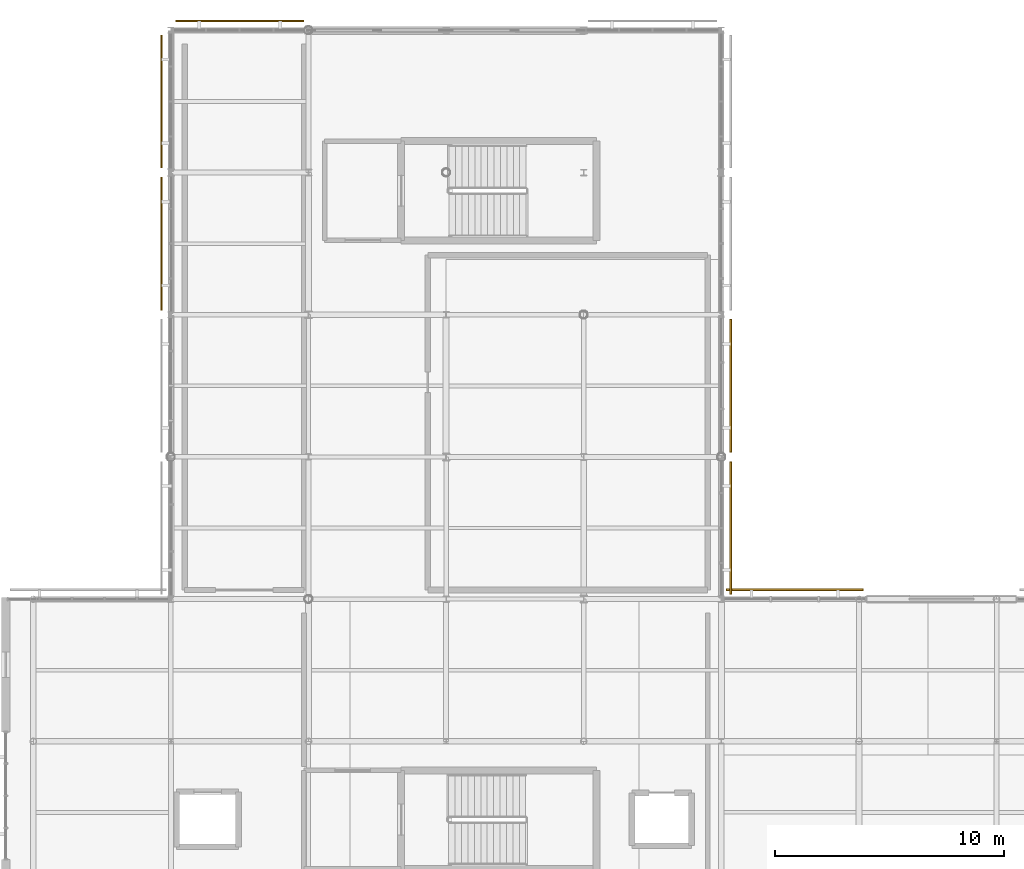
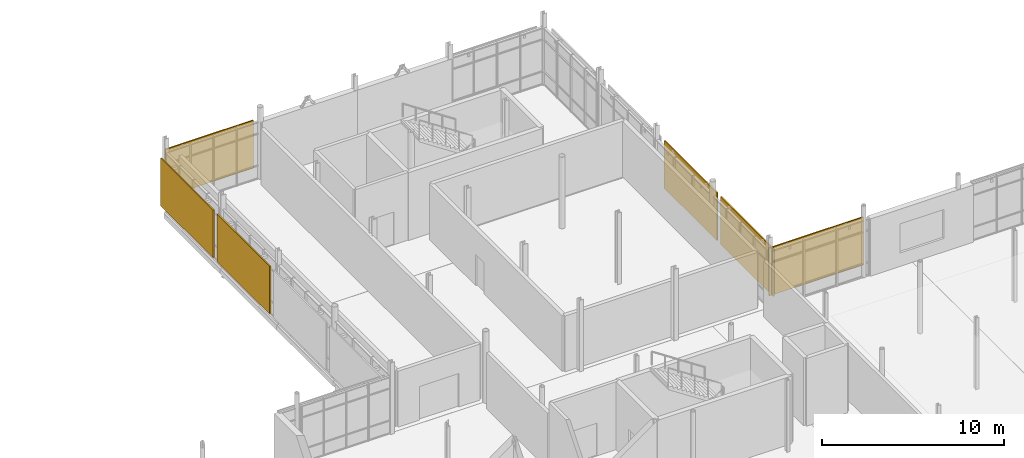
# One storey, part 63 of 66: 6 shading devices.
"""IFC4 building model written with IfcOpenShell, lengths in metres."""

from ifc_helpers import new_model, si_unit, direction, frame, origin, origin_2d, place, context, subcontext, project, spatial, rectangle, extrude, material, layer, layer_set, type_object, element, save


model = new_model("IFC4")

# Units and contexts
model_context = context("Model", 3, precision=1e-05, world=origin(), true_north=direction((0.0, 1.0)))
body_context = subcontext(model_context, "Body", "Model", "MODEL_VIEW")
ifc_project = project(units=[si_unit("LENGTHUNIT", "METRE"), si_unit("AREAUNIT", "SQUARE_METRE"), si_unit("VOLUMEUNIT", "CUBIC_METRE"), si_unit("PLANEANGLEUNIT", "RADIAN"), si_unit("MASSUNIT", "GRAM", prefix="KILO")], contexts=[model_context])

# Site, building, storey
site_placement = place(None, origin())
site = spatial("IfcSite", under=ifc_project, at=site_placement, CompositionType="ELEMENT")
building_placement = place(site_placement, origin())
building = spatial("IfcBuilding", under=site, at=building_placement, Name="Mirzam Square Science Centre", CompositionType="ELEMENT")
storey_placement = place(building_placement, frame((0.0, 0.0, 15.60009765625)))
storey = spatial("IfcBuildingStorey", under=building, at=storey_placement, Name="L03", CompositionType="ELEMENT", Elevation=15.60009765625)

# Shading devices
ifc_material = material(Name="Perforated Bronze-Anodised Aluminium Brise-Soleil", Category="aluminium")
ifc_layer = layer(ifc_material, 0.080078125)
ifc_layer_set = layer_set([ifc_layer], Name="SHD-BRISE-BRONZE")
shading_device_type = type_object("IfcShadingDeviceType", Name="SHD-BRISE-BRONZE", PredefinedType="JALOUSIE", material=ifc_layer_set)
shading_device_1_placement = place(storey_placement, frame((141.199951171875, 87.2099609375, 0.48974609375), z_axis=(0.0, 0.0, 1.0), x_axis=(-1.0, 0.0, 0.0)))
element("IfcShadingDevice", 1, at=shading_device_1_placement, inside=storey, type_object=shading_device_type, Name="L03 bronze brise-soleil screen 121", PredefinedType="JALOUSIE", context=body_context, shape_type="SweptSolid", body=[
    extrude(rectangle(XDim=5.989990234375, YDim=0.080078125, at=origin_2d()), origin(), (0.0, 0.0, 1.0), 3.199951171875),
])
shading_device_2_placement = place(storey_placement, frame((117.0, 112.010009765625, 0.48974609375), z_axis=(0.0, 0.0, 1.0), x_axis=(-1.0, 0.0, 0.0)))
element("IfcShadingDevice", 2, at=shading_device_2_placement, inside=storey, type_object=shading_device_type, Name="L03 bronze brise-soleil screen 126", PredefinedType="JALOUSIE", context=body_context, shape_type="SweptSolid", body=[
    extrude(rectangle(XDim=5.590087890625, YDim=0.080078125, at=origin_2d()), origin(), (0.0, 0.0, 1.0), 3.199951171875),
])
for number, where, z_axis, x_axis, name in (
    (3, (138.409912109375, 89.89990234375, 0.48974609375), (0.0, 0.0, 1.0), (0.0, 1.0, 0.0), "L03 bronze brise-soleil screen 129"),
    (4, (138.409912109375, 96.10009765625, 0.48974609375), (0.0, 0.0, 1.0), (0.0, 1.0, 0.0), "L03 bronze brise-soleil screen 131"),
    (5, (113.590087890625, 102.300048828125, 0.48974609375), (0.0, 0.0, 1.0), (0.0, -1.0, 0.0), "L03 bronze brise-soleil screen 132"),
    (6, (113.590087890625, 108.5, 0.48974609375), (0.0, 0.0, 1.0), (0.0, -1.0, 0.0), "L03 bronze brise-soleil screen 134"),
):
    element("IfcShadingDevice", number, at=place(storey_placement, frame(where, z_axis=z_axis, x_axis=x_axis)), inside=storey, type_object=shading_device_type, Name=name, PredefinedType="JALOUSIE", context=body_context, shape_type="SweptSolid", body=[
        extrude(rectangle(XDim=5.7900390625, YDim=0.080078125, at=origin_2d()), origin(), (0.0, 0.0, 1.0), 3.199951171875),
    ])

save(model, "model.ifc")
